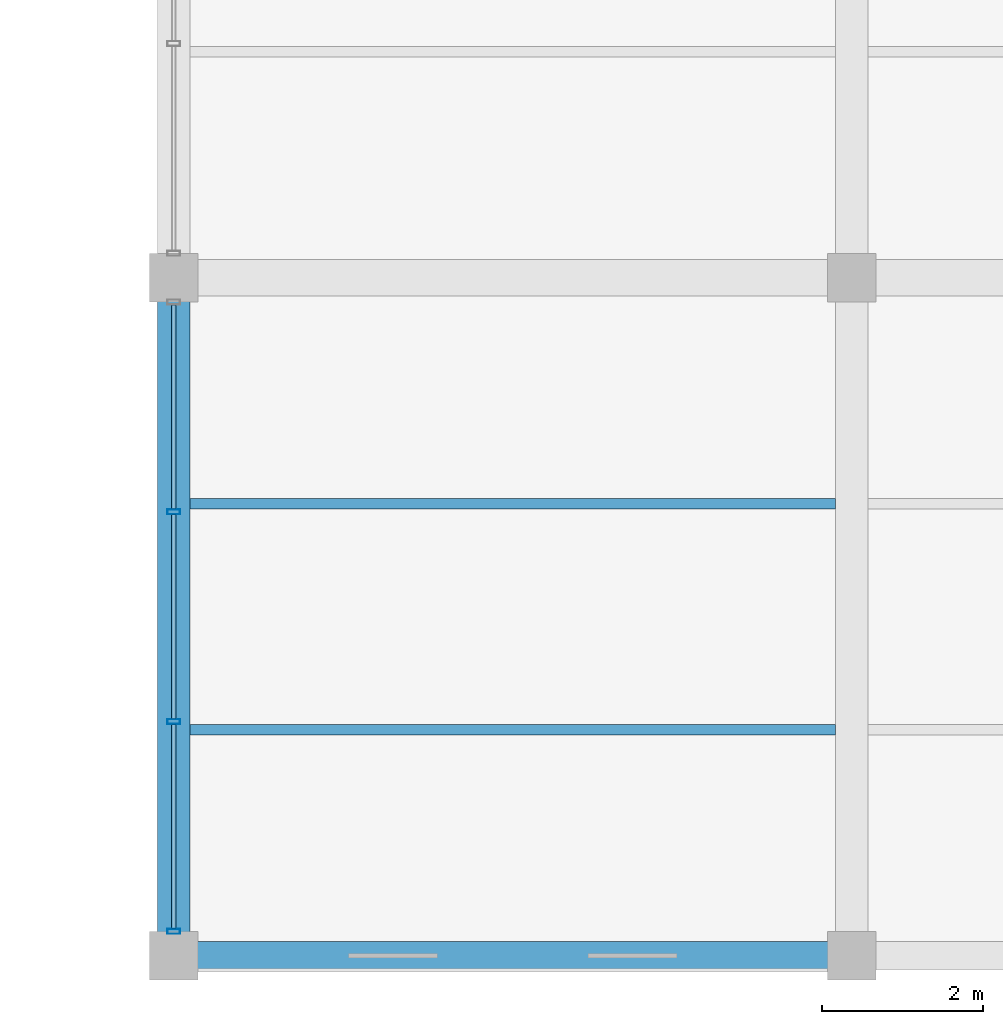
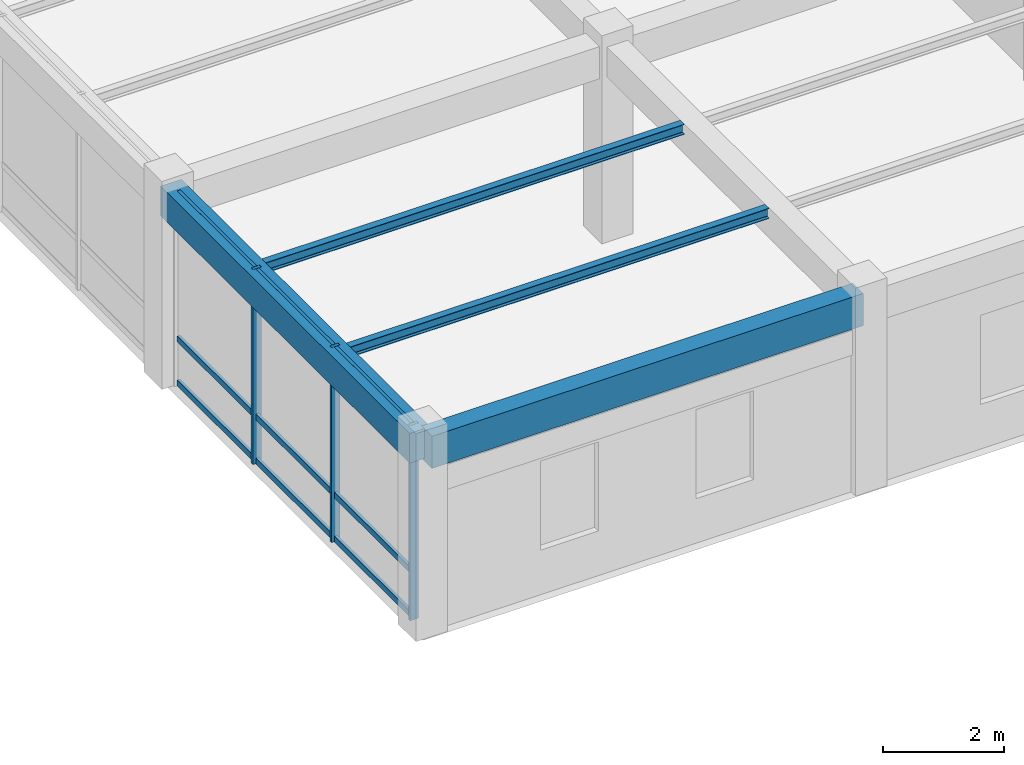
# One storey, part 13 of 114: 12 members, 4 beams, 1 element without a shape of its own.
"""IFC4 building model written with IfcOpenShell, lengths in metres."""

from ifc_helpers import new_model, si_unit, direction, frame, origin, origin_2d, place, context, subcontext, project, spatial, rectangle, hollow_rectangle, i_section, extrude, material, material_profile, profile_set, type_object, element, aggregate, save


model = new_model("IFC4")

# Units and contexts
model_context = context("Model", 3, precision=1e-05, world=origin(), true_north=direction((0.0, 1.0)))
body_context = subcontext(model_context, "Body", "Model", "MODEL_VIEW")
ifc_project = project(units=[si_unit("LENGTHUNIT", "METRE"), si_unit("AREAUNIT", "SQUARE_METRE"), si_unit("VOLUMEUNIT", "CUBIC_METRE"), si_unit("PLANEANGLEUNIT", "RADIAN"), si_unit("MASSUNIT", "GRAM", prefix="KILO"), si_unit("THERMODYNAMICTEMPERATUREUNIT", "KELVIN"), si_unit("POWERUNIT", "WATT")], contexts=[model_context])

# Site, building, storey
site_placement = place(None, origin())
site = spatial("IfcSite", under=ifc_project, at=site_placement, CompositionType="ELEMENT")
building_placement = place(site_placement, origin())
building = spatial("IfcBuilding", under=site, at=building_placement, Name="Darbajah Civic Hall", CompositionType="ELEMENT")
storey_placement = place(building_placement, frame((0.0, 0.0, 13.800048828125)))
storey = spatial("IfcBuildingStorey", under=building, at=storey_placement, Name="L03", CompositionType="ELEMENT", Elevation=13.800048828125)

# Curtain wall, members
ifc_material_1 = material(Name="Anodised Bronze Aluminium and Low-E Glazing", Category="aluminium")
curtain_wall_type = type_object("IfcCurtainWallType", Name="Unitised Curtain Wall CW-100 7800x3950", PredefinedType="USERDEFINED", material=ifc_material_1)
curtain_wall_placement = place(storey_placement, origin())
curtain_wall = element("IfcCurtainWall", 1, at=curtain_wall_placement, inside=storey, type_object=curtain_wall_type, Name="L03 unitised curtain wall CW-V5-L03-S3-B1", ObjectType="UNITISED CURTAIN WALL", PredefinedType="USERDEFINED")
ifc_material_2 = material(Name="Anodised Bronze Aluminium", Category="aluminium")
ifc_material_profile_1 = material_profile(ifc_material_2, hollow_rectangle(XDim=0.06005859375, YDim=0.159912109375, WallThickness=0.00341796875, at=origin_2d()), Name="ALU MULLION 60x160")
ifc_profile_set_1 = profile_set([ifc_material_profile_1], Name="Anodised Bronze Aluminium")
member_type_1 = type_object("IfcMemberType", Name="ALU MULLION 60x160", PredefinedType="MULLION", material=ifc_profile_set_1)
member_1_placement = place(storey_placement, frame((50.39990234375, 5.499267578125, 0.0), z_axis=(0.0, 0.0, 1.0), x_axis=(0.0, -1.0, 0.0)))
member_1 = element("IfcMember", 2, at=member_1_placement, type_object=member_type_1, Name="CW-V5-L03-S3-B1 mullion 2", PredefinedType="MULLION", context=body_context, shape_type="SweptSolid", body=[
    extrude(hollow_rectangle(XDim=0.06005859375, YDim=0.159912109375, WallThickness=0.00341796875, at=origin_2d()), origin(), (0.0, 0.0, 1.0), 3.93994140625),
])
member_2_placement = place(storey_placement, frame((50.39990234375, 2.900634765625, 0.0), z_axis=(0.0, 0.0, 1.0), x_axis=(0.0, -1.0, 0.0)))
member_2 = element("IfcMember", 3, at=member_2_placement, type_object=member_type_1, Name="CW-V5-L03-S3-B1 mullion 3", PredefinedType="MULLION", context=body_context, shape_type="SweptSolid", body=[
    extrude(hollow_rectangle(XDim=0.06005859375, YDim=0.159912109375, WallThickness=0.00341796875, at=origin_2d()), origin(), (0.0, 0.0, 1.0), 3.93994140625),
])
member_3_placement = place(storey_placement, frame((50.39990234375, 0.302001953125, 0.0), z_axis=(0.0, 0.0, 1.0), x_axis=(0.0, -1.0, 0.0)))
member_3 = element("IfcMember", 4, at=member_3_placement, type_object=member_type_1, Name="CW-V5-L03-S3-B1 mullion 4", PredefinedType="MULLION", context=body_context, shape_type="SweptSolid", body=[
    extrude(hollow_rectangle(XDim=0.06005859375, YDim=0.159912109375, WallThickness=0.00341796875, at=origin_2d()), origin(), (0.0, 0.0, 1.0), 3.93994140625),
])
ifc_material_profile_2 = material_profile(ifc_material_2, hollow_rectangle(XDim=0.06005859375, YDim=0.1201171875, WallThickness=0.003173828125, at=origin_2d()), Name="ALU TRANSOM 60x120")
ifc_profile_set_2 = profile_set([ifc_material_profile_2], Name="Anodised Bronze Aluminium")
member_type_2 = type_object("IfcMemberType", Name="ALU TRANSOM 60x120", PredefinedType="USERDEFINED", material=ifc_profile_set_2)
member_4_placement = place(storey_placement, frame((50.39990234375, 8.06298828125, 0.06005859375), z_axis=(0.0, -1.0, 0.0), x_axis=(1.0, 0.0, 0.0)))
member_4 = element("IfcMember", 5, at=member_4_placement, type_object=member_type_2, Name="CW-V5-L03-S3-B1 transom 1.1", ObjectType="TRANSOM", PredefinedType="USERDEFINED", context=body_context, shape_type="SweptSolid", body=[
    extrude(hollow_rectangle(XDim=0.06005859375, YDim=0.1201171875, WallThickness=0.003173828125, at=origin_2d()), origin(), (0.0, 0.0, 1.0), 2.52880859375),
])
member_5_placement = place(storey_placement, frame((50.39990234375, 8.06298828125, 0.949951171875), z_axis=(0.0, -1.0, 0.0), x_axis=(1.0, 0.0, 0.0)))
member_5 = element("IfcMember", 6, at=member_5_placement, type_object=member_type_2, Name="CW-V5-L03-S3-B1 transom 1.2", ObjectType="TRANSOM", PredefinedType="USERDEFINED", context=body_context, shape_type="SweptSolid", body=[
    extrude(hollow_rectangle(XDim=0.06005859375, YDim=0.1201171875, WallThickness=0.003173828125, at=origin_2d()), origin(), (0.0, 0.0, 1.0), 2.52880859375),
])
member_6_placement = place(storey_placement, frame((50.39990234375, 8.06298828125, 3.8798828125), z_axis=(0.0, -1.0, 0.0), x_axis=(1.0, 0.0, 0.0)))
member_6 = element("IfcMember", 7, at=member_6_placement, type_object=member_type_2, Name="CW-V5-L03-S3-B1 transom 1.3", ObjectType="TRANSOM", PredefinedType="USERDEFINED", context=body_context, shape_type="SweptSolid", body=[
    extrude(hollow_rectangle(XDim=0.06005859375, YDim=0.1201171875, WallThickness=0.003173828125, at=origin_2d()), origin(), (0.0, 0.0, 1.0), 2.52880859375),
])
member_7_placement = place(storey_placement, frame((50.39990234375, 5.46435546875, 0.06005859375), z_axis=(0.0, -1.0, 0.0), x_axis=(1.0, 0.0, 0.0)))
member_7 = element("IfcMember", 8, at=member_7_placement, type_object=member_type_2, Name="CW-V5-L03-S3-B1 transom 2.1", ObjectType="TRANSOM", PredefinedType="USERDEFINED", context=body_context, shape_type="SweptSolid", body=[
    extrude(hollow_rectangle(XDim=0.06005859375, YDim=0.1201171875, WallThickness=0.003173828125, at=origin_2d()), origin(), (0.0, 0.0, 1.0), 2.528564453125),
])
member_8_placement = place(storey_placement, frame((50.39990234375, 5.46435546875, 0.949951171875), z_axis=(0.0, -1.0, 0.0), x_axis=(1.0, 0.0, 0.0)))
member_8 = element("IfcMember", 9, at=member_8_placement, type_object=member_type_2, Name="CW-V5-L03-S3-B1 transom 2.2", ObjectType="TRANSOM", PredefinedType="USERDEFINED", context=body_context, shape_type="SweptSolid", body=[
    extrude(hollow_rectangle(XDim=0.06005859375, YDim=0.1201171875, WallThickness=0.003173828125, at=origin_2d()), origin(), (0.0, 0.0, 1.0), 2.528564453125),
])
member_9_placement = place(storey_placement, frame((50.39990234375, 5.46435546875, 3.8798828125), z_axis=(0.0, -1.0, 0.0), x_axis=(1.0, 0.0, 0.0)))
member_9 = element("IfcMember", 10, at=member_9_placement, type_object=member_type_2, Name="CW-V5-L03-S3-B1 transom 2.3", ObjectType="TRANSOM", PredefinedType="USERDEFINED", context=body_context, shape_type="SweptSolid", body=[
    extrude(hollow_rectangle(XDim=0.06005859375, YDim=0.1201171875, WallThickness=0.003173828125, at=origin_2d()), origin(), (0.0, 0.0, 1.0), 2.528564453125),
])
member_10_placement = place(storey_placement, frame((50.39990234375, 2.86572265625, 0.06005859375), z_axis=(0.0, -1.0, 0.0), x_axis=(1.0, 0.0, 0.0)))
member_10 = element("IfcMember", 11, at=member_10_placement, type_object=member_type_2, Name="CW-V5-L03-S3-B1 transom 3.1", ObjectType="TRANSOM", PredefinedType="USERDEFINED", context=body_context, shape_type="SweptSolid", body=[
    extrude(hollow_rectangle(XDim=0.06005859375, YDim=0.1201171875, WallThickness=0.003173828125, at=origin_2d()), origin(), (0.0, 0.0, 1.0), 2.52880859375),
])
member_11_placement = place(storey_placement, frame((50.39990234375, 2.86572265625, 0.949951171875), z_axis=(0.0, -1.0, 0.0), x_axis=(1.0, 0.0, 0.0)))
member_11 = element("IfcMember", 12, at=member_11_placement, type_object=member_type_2, Name="CW-V5-L03-S3-B1 transom 3.2", ObjectType="TRANSOM", PredefinedType="USERDEFINED", context=body_context, shape_type="SweptSolid", body=[
    extrude(hollow_rectangle(XDim=0.06005859375, YDim=0.1201171875, WallThickness=0.003173828125, at=origin_2d()), origin(), (0.0, 0.0, 1.0), 2.52880859375),
])
member_12_placement = place(storey_placement, frame((50.39990234375, 2.86572265625, 3.8798828125), z_axis=(0.0, -1.0, 0.0), x_axis=(1.0, 0.0, 0.0)))
member_12 = element("IfcMember", 13, at=member_12_placement, type_object=member_type_2, Name="CW-V5-L03-S3-B1 transom 3.3", ObjectType="TRANSOM", PredefinedType="USERDEFINED", context=body_context, shape_type="SweptSolid", body=[
    extrude(hollow_rectangle(XDim=0.06005859375, YDim=0.1201171875, WallThickness=0.003173828125, at=origin_2d()), origin(), (0.0, 0.0, 1.0), 2.52880859375),
])
aggregate(curtain_wall, [member_1, member_2, member_3, member_4, member_5, member_6, member_7, member_8, member_9, member_10, member_11, member_12])

# Beams
ifc_material_3 = material(Name="Concrete C45/55", Category="concrete")
ifc_material_profile_3 = material_profile(ifc_material_3, rectangle(XDim=0.39990234375, YDim=0.60009765625, at=origin_2d()), Name="RC BEAM 400x600")
ifc_profile_set_3 = profile_set([ifc_material_profile_3], Name="Concrete C45/55")
beam_type_1 = type_object("IfcBeamType", Name="RC BEAM 400x600", PredefinedType="BEAM", material=ifc_profile_set_3)
beam_1_placement = place(storey_placement, frame((50.39990234375, 0.080078125, 3.639892578125), z_axis=(0.0, 1.0, 0.0), x_axis=(-1.0, 0.0, 0.0)))
element("IfcBeam", 14, at=beam_1_placement, inside=storey, type_object=beam_type_1, Name="L03 beam BM-4060", PredefinedType="BEAM", context=body_context, shape_type="SweptSolid", body=[
    extrude(rectangle(XDim=0.39990234375, YDim=0.60009765625, at=origin_2d()), origin(), (0.0, 0.0, 1.0), 8.239990234375),
])
ifc_material_profile_4 = material_profile(ifc_material_3, rectangle(XDim=0.35009765625, YDim=0.64990234375, at=origin_2d()), Name="RC SPANDREL 350x650")
ifc_profile_set_4 = profile_set([ifc_material_profile_4], Name="Concrete C45/55")
beam_type_2 = type_object("IfcBeamType", Name="RC SPANDREL 350x650", PredefinedType="SPANDREL", material=ifc_profile_set_4)
beam_2_placement = place(storey_placement, frame((50.47998046875, 0.0, 3.614990234375), z_axis=(1.0, 0.0, 0.0), x_axis=(0.0, 1.0, 0.0)))
element("IfcBeam", 15, at=beam_2_placement, inside=storey, type_object=beam_type_2, Name="L03 beam SP-3565", PredefinedType="SPANDREL", context=body_context, shape_type="SweptSolid", body=[
    extrude(rectangle(XDim=0.35009765625, YDim=0.64990234375, at=origin_2d()), origin(), (0.0, 0.0, 1.0), 8.239990234375),
])
ifc_material_4 = material(Name="Steel S355JR", Category="steel")
ifc_material_profile_5 = material_profile(ifc_material_4, i_section(OverallWidth=0.1337890625, OverallDepth=0.206787109375, WebThickness=0.00634765625, FlangeThickness=0.009521484375, FilletRadius=0.007568359375, at=origin_2d()), Name="UB 203x133x30")
ifc_profile_set_5 = profile_set([ifc_material_profile_5], Name="Steel S355JR")
beam_type_3 = type_object("IfcBeamType", Name="UB 203x133x30", PredefinedType="JOIST", material=ifc_profile_set_5)
for number, where, z_axis, x_axis, name in (
    (16, (50.60009765625, 2.800048828125, 3.836669921875), (1.0, 0.0, 0.0), (0.0, 1.0, 0.0), "L03 beam SJ-203"),
    (17, (50.60009765625, 5.60009765625, 3.836669921875), (1.0, 0.0, 0.0), (0.0, 1.0, 0.0), "L03 beam SJ-203"),
):
    element("IfcBeam", number, at=place(storey_placement, frame(where, z_axis=z_axis, x_axis=x_axis)), inside=storey, type_object=beam_type_3, Name=name, PredefinedType="JOIST", context=body_context, shape_type="SweptSolid", body=[
        extrude(i_section(OverallWidth=0.1337890625, OverallDepth=0.206787109375, WebThickness=0.00634765625, FlangeThickness=0.009521484375, FilletRadius=0.007568359375, at=origin_2d()), origin(), (0.0, 0.0, 1.0), 8.0),
    ])

save(model, "model.ifc")
